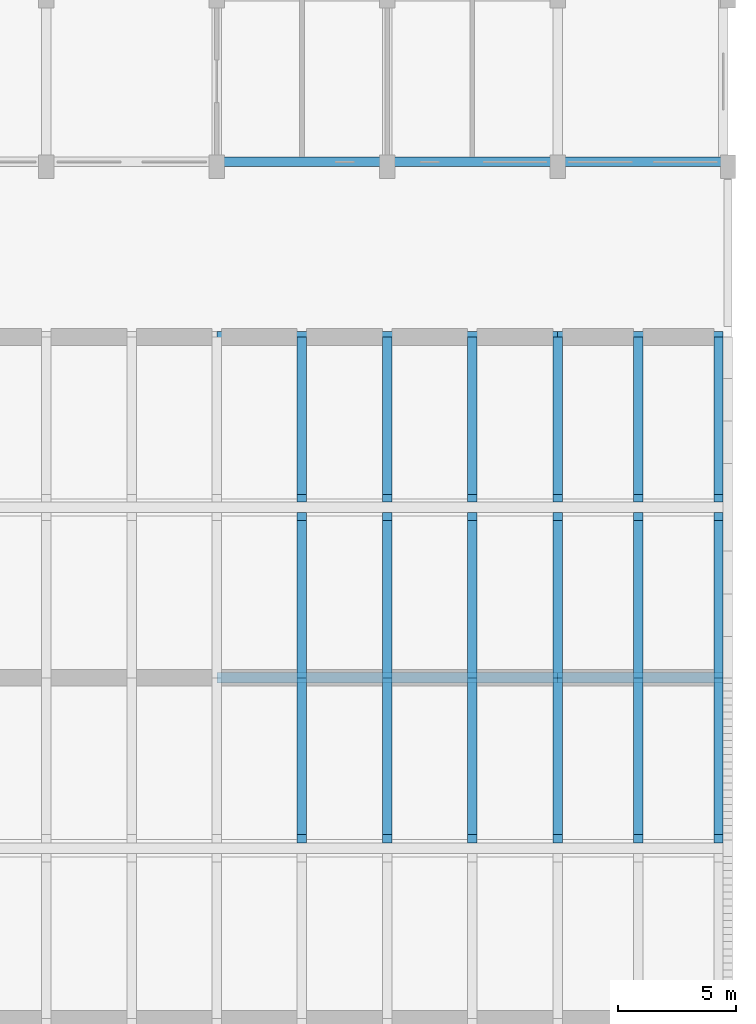
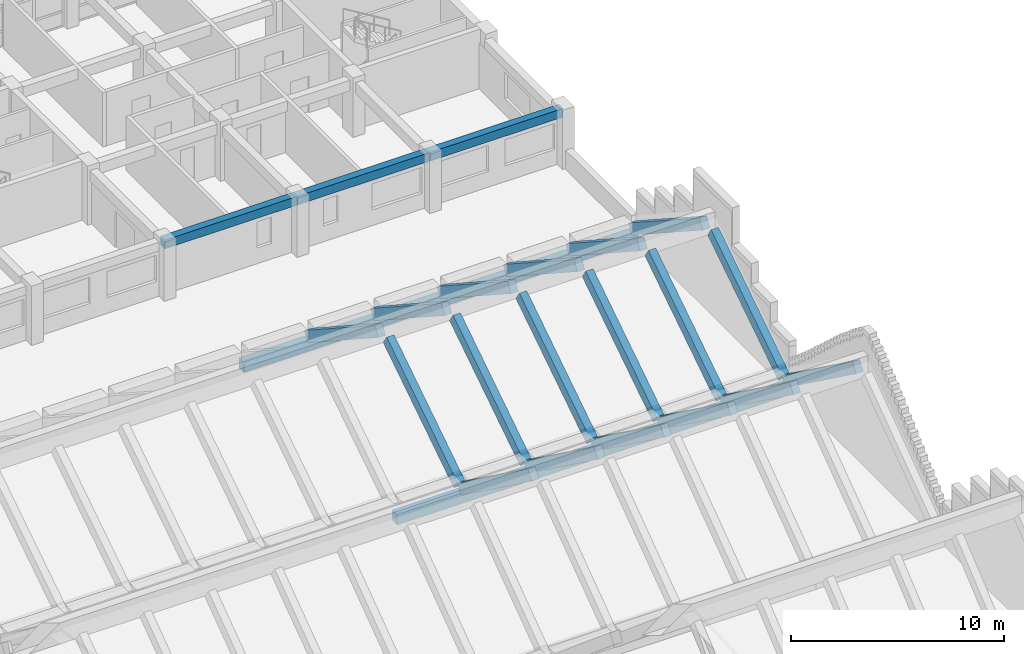
# One storey, part 10 of 31: 25 beams.
"""IFC4 building model written with IfcOpenShell, lengths in metres."""

from ifc_helpers import new_model, si_unit, direction, frame, origin, origin_2d, place, context, subcontext, project, spatial, rectangle, extrude, material, material_profile, profile_set, type_object, element, save


model = new_model("IFC4")

# Units and contexts
model_context = context("Model", 3, precision=1e-05, world=origin(), true_north=direction((0.0, 1.0)))
body_context = subcontext(model_context, "Body", "Model", "MODEL_VIEW")
ifc_project = project(units=[si_unit("LENGTHUNIT", "METRE"), si_unit("AREAUNIT", "SQUARE_METRE"), si_unit("VOLUMEUNIT", "CUBIC_METRE"), si_unit("PLANEANGLEUNIT", "RADIAN"), si_unit("MASSUNIT", "GRAM", prefix="KILO")], contexts=[model_context])

# Site, building, storey
site_placement = place(None, origin())
site = spatial("IfcSite", under=ifc_project, at=site_placement, CompositionType="ELEMENT")
building_placement = place(site_placement, origin())
building = spatial("IfcBuilding", under=site, at=building_placement, Name="Vermilion Court Aquatics Centre", CompositionType="ELEMENT")
storey_placement = place(building_placement, frame((0.0, 0.0, 16.5)))
storey = spatial("IfcBuildingStorey", under=building, at=storey_placement, Name="L03", CompositionType="ELEMENT", Elevation=16.5)

# Beams
ifc_material_1 = material(Name="Concrete 6000 psi", Category="concrete")
ifc_material_profile_1 = material_profile(ifc_material_1, rectangle(XDim=0.39990234375, YDim=0.5, at=origin_2d()), Name="RC 400x500")
ifc_profile_set_1 = profile_set([ifc_material_profile_1], Name="Concrete 6000 psi")
beam_type_1 = type_object("IfcBeamType", Name="North block spandrel beam 400x500", PredefinedType="BEAM", material=ifc_profile_set_1)
for number, where, z_axis, x_axis, name in (
    (1, (172.800048828125, 93.800048828125, 2.85009765625), (1.0, 0.0, 0.0), (0.0, 1.0, 0.0), "Spandrel beam L04 x93.6"),
    (2, (180.0, 93.800048828125, 2.85009765625), (1.0, 0.0, 0.0), (0.0, 1.0, 0.0), "Spandrel beam L04 x93.6"),
    (3, (187.199951171875, 93.800048828125, 2.85009765625), (1.0, 0.0, 0.0), (0.0, 1.0, 0.0), "Spandrel beam L04 x93.6"),
):
    element("IfcBeam", number, at=place(storey_placement, frame(where, z_axis=z_axis, x_axis=x_axis)), inside=storey, type_object=beam_type_1, Name=name, PredefinedType="BEAM", context=body_context, shape_type="SweptSolid", body=[
        extrude(rectangle(XDim=0.39990234375, YDim=0.5, at=origin_2d()), origin(), (0.0, 0.0, 1.0), 7.199951171875),
    ])
ifc_material_2 = material(Name="Concrete 5000 psi", Category="concrete")
ifc_material_profile_2 = material_profile(ifc_material_2, rectangle(XDim=0.39990234375, YDim=0.60009765625, at=origin_2d()), Name="RC 400x600")
ifc_profile_set_2 = profile_set([ifc_material_profile_2], Name="Concrete 5000 psi")
beam_type_2 = type_object("IfcBeamType", Name="Podium roof rafter RC 400x600", PredefinedType="BEAM", material=ifc_profile_set_2)
for number, where, z_axis, x_axis, name in (
    (4, (176.39990234375, 71.8232421875, 0.8427734375), (0.0, -0.809017178583, 0.587784998752), (1.0, 0.0, 0.0), "Roof rafter"),
    (5, (180.0, 71.8232421875, 0.8427734375), (0.0, -0.809017178583, 0.587784998752), (1.0, 0.0, 0.0), "Roof rafter"),
    (6, (183.60009765625, 71.8232421875, 0.8427734375), (0.0, -0.809017178583, 0.587784998752), (1.0, 0.0, 0.0), "Roof rafter"),
    (7, (187.199951171875, 71.8232421875, 0.8427734375), (0.0, -0.809017178583, 0.587784998752), (1.0, 0.0, 0.0), "Roof rafter"),
    (8, (190.60009765625, 71.8232421875, 0.8427734375), (0.0, -0.809017178583, 0.587784998752), (1.0, 0.0, 0.0), "Roof rafter"),
    (9, (194.0, 71.8232421875, 0.8427734375), (0.0, -0.809017178583, 0.587784998752), (1.0, 0.0, 0.0), "Roof rafter"),
):
    element("IfcBeam", number, at=place(storey_placement, frame(where, z_axis=z_axis, x_axis=x_axis)), inside=storey, type_object=beam_type_2, Name=name, PredefinedType="BEAM", context=body_context, shape_type="SweptSolid", body=[
        extrude(rectangle(XDim=0.39990234375, YDim=0.60009765625, at=origin_2d()), origin(), (0.0, 0.0, 1.0), 8.18505859375),
    ])
for number, where, z_axis, x_axis, name in (
    (10, (176.39990234375, 72.163818359375, 0.8515625), (0.0, 0.83866661958, 0.544645114916), (-1.0, 0.0, 0.0), "Roof rafter"),
    (11, (176.39990234375, 86.236083984375, 0.8515625), (0.0, -0.83866661958, 0.544645114916), (1.0, 0.0, 0.0), "Roof rafter"),
    (12, (180.0, 72.163818359375, 0.8515625), (0.0, 0.83866661958, 0.544645114916), (-1.0, 0.0, 0.0), "Roof rafter"),
    (13, (180.0, 86.236083984375, 0.8515625), (0.0, -0.83866661958, 0.544645114916), (1.0, 0.0, 0.0), "Roof rafter"),
    (14, (183.60009765625, 72.163818359375, 0.8515625), (0.0, 0.83866661958, 0.544645114916), (-1.0, 0.0, 0.0), "Roof rafter"),
    (15, (183.60009765625, 86.236083984375, 0.8515625), (0.0, -0.83866661958, 0.544645114916), (1.0, 0.0, 0.0), "Roof rafter"),
    (16, (187.199951171875, 72.163818359375, 0.8515625), (0.0, 0.83866661958, 0.544645114916), (-1.0, 0.0, 0.0), "Roof rafter"),
    (17, (187.199951171875, 86.236083984375, 0.8515625), (0.0, -0.83866661958, 0.544645114916), (1.0, 0.0, 0.0), "Roof rafter"),
    (18, (190.60009765625, 72.163818359375, 0.8515625), (0.0, 0.83866661958, 0.544645114916), (-1.0, 0.0, 0.0), "Roof rafter"),
    (19, (190.60009765625, 86.236083984375, 0.8515625), (0.0, -0.83866661958, 0.544645114916), (1.0, 0.0, 0.0), "Roof rafter"),
    (20, (194.0, 72.163818359375, 0.8515625), (0.0, 0.83866661958, 0.544645114916), (-1.0, 0.0, 0.0), "Roof rafter"),
    (21, (194.0, 86.236083984375, 0.8515625), (0.0, -0.83866661958, 0.544645114916), (1.0, 0.0, 0.0), "Roof rafter"),
):
    element("IfcBeam", number, at=place(storey_placement, frame(where, z_axis=z_axis, x_axis=x_axis)), inside=storey, type_object=beam_type_2, Name=name, PredefinedType="BEAM", context=body_context, shape_type="SweptSolid", body=[
        extrude(rectangle(XDim=0.39990234375, YDim=0.60009765625, at=origin_2d()), origin(), (0.0, 0.0, 1.0), 7.926513671875),
    ])
ifc_material_3 = material(Name="Concrete 5000 psi", Category="concrete")
ifc_material_profile_3 = material_profile(ifc_material_3, rectangle(XDim=0.449951171875, YDim=0.60009765625, at=origin_2d()), Name="RC 450x600")
ifc_profile_set_3 = profile_set([ifc_material_profile_3], Name="Concrete 5000 psi")
beam_type_3 = type_object("IfcBeamType", Name="Podium roof valley beam RC 450x600", PredefinedType="BEAM", material=ifc_profile_set_3)
beam_1_placement = place(storey_placement, frame((172.800048828125, 72.0, 0.300048828125), z_axis=(1.0, 0.0, 0.0), x_axis=(0.0, 1.0, 0.0)))
element("IfcBeam", 22, at=beam_1_placement, inside=storey, type_object=beam_type_3, Name="Roof valley beam", PredefinedType="BEAM", context=body_context, shape_type="SweptSolid", body=[
    extrude(rectangle(XDim=0.449951171875, YDim=0.60009765625, at=origin_2d()), origin(), (0.0, 0.0, 1.0), 14.39990234375),
])
beam_2_placement = place(storey_placement, frame((187.199951171875, 72.0, 0.300048828125), z_axis=(1.0, 0.0, 0.0), x_axis=(0.0, 1.0, 0.0)))
element("IfcBeam", 23, at=beam_2_placement, inside=storey, type_object=beam_type_3, Name="Roof valley beam", PredefinedType="BEAM", context=body_context, shape_type="SweptSolid", body=[
    extrude(rectangle(XDim=0.449951171875, YDim=0.60009765625, at=origin_2d()), origin(), (0.0, 0.0, 1.0), 7.0),
])
beam_3_placement = place(storey_placement, frame((172.800048828125, 86.39990234375, 0.300048828125), z_axis=(1.0, 0.0, 0.0), x_axis=(0.0, 1.0, 0.0)))
element("IfcBeam", 24, at=beam_3_placement, inside=storey, type_object=beam_type_3, Name="Roof valley beam", PredefinedType="BEAM", context=body_context, shape_type="SweptSolid", body=[
    extrude(rectangle(XDim=0.449951171875, YDim=0.60009765625, at=origin_2d()), origin(), (0.0, 0.0, 1.0), 14.39990234375),
])
beam_4_placement = place(storey_placement, frame((187.199951171875, 86.39990234375, 0.300048828125), z_axis=(1.0, 0.0, 0.0), x_axis=(0.0, 1.0, 0.0)))
element("IfcBeam", 25, at=beam_4_placement, inside=storey, type_object=beam_type_3, Name="Roof valley beam", PredefinedType="BEAM", context=body_context, shape_type="SweptSolid", body=[
    extrude(rectangle(XDim=0.449951171875, YDim=0.60009765625, at=origin_2d()), origin(), (0.0, 0.0, 1.0), 7.0),
])

save(model, "model.ifc")
